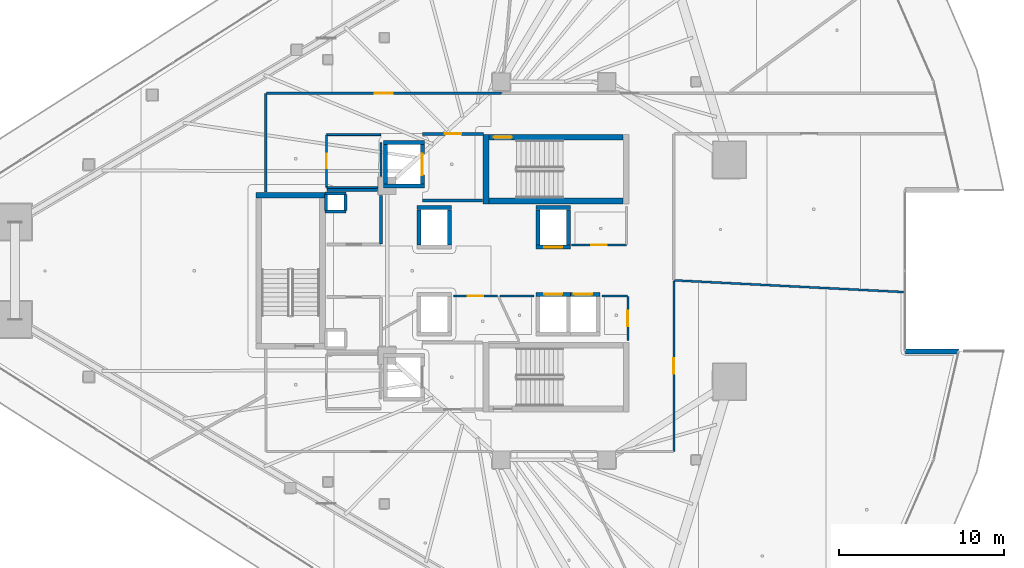
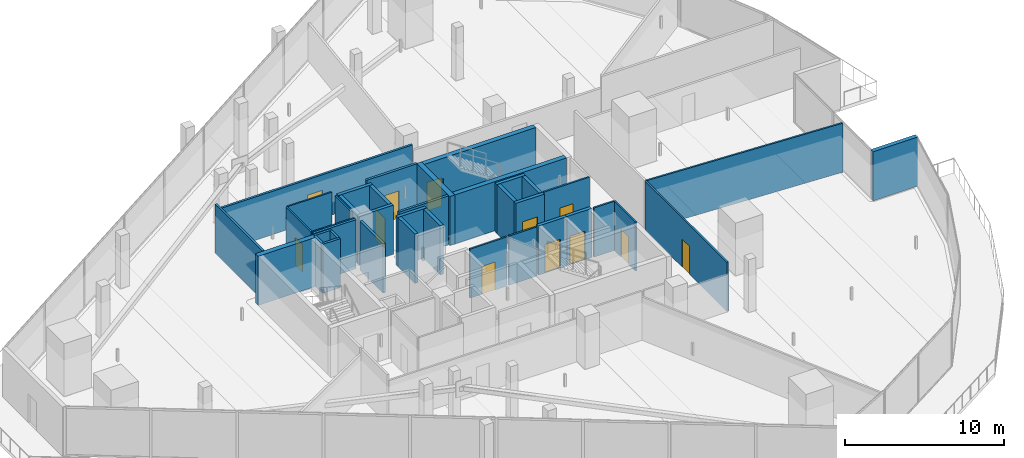
# One storey, part 30 of 40: 39 walls, 12 doors, 12 openings.
"""IFC4 building model written with IfcOpenShell, lengths in metres."""

from ifc_helpers import new_model, si_unit, direction, frame, frame_2d, origin, place, context, subcontext, project, spatial, rectangle, extrude, material, layer, layer_set, type_object, element, fill, save


model = new_model("IFC4")

# Units and contexts
model_context = context("Model", 3, precision=1e-05, world=origin(), true_north=direction((0.0, 1.0)))
body_context = subcontext(model_context, "Body", "Model", "MODEL_VIEW")
ifc_project = project(units=[si_unit("LENGTHUNIT", "METRE"), si_unit("AREAUNIT", "SQUARE_METRE"), si_unit("VOLUMEUNIT", "CUBIC_METRE"), si_unit("PLANEANGLEUNIT", "RADIAN"), si_unit("MASSUNIT", "GRAM", prefix="KILO")], contexts=[model_context])

# Site, building, storey
site_placement = place(None, origin())
site = spatial("IfcSite", under=ifc_project, at=site_placement, CompositionType="ELEMENT")
building_placement = place(site_placement, origin())
building = spatial("IfcBuilding", under=site, at=building_placement, Name="Qorvath Tower", CompositionType="ELEMENT")
storey_placement = place(building_placement, frame((0.0, 0.0, 138.14990234375)))
storey = spatial("IfcBuildingStorey", under=building, at=storey_placement, Name="L31", CompositionType="ELEMENT", Elevation=138.14990234375)

# Walls
ifc_material_1 = material(Name="Gypsum shaftliner on steel studs", Category="steel")
ifc_layer_1 = layer(ifc_material_1, 0.179931640625)
ifc_layer_set_1 = layer_set([ifc_layer_1], Name="FW-LOBBY")
wall_type_1 = type_object("IfcWallType", Name="FW-LOBBY", PredefinedType="PARTITIONING", material=ifc_layer_set_1)
for number, where, z_axis, x_axis, name in (
    (1, (-32.989990234375, 3.594970703125, 0.0), (0.0, 0.0, 1.0), (-1.0, 0.0, 0.0), "MEP Riser Shaft Enclosure Wall N-L31-S"),
    (2, (-34.260009765625, 4.675048828125, 0.0), (0.0, 0.0, 1.0), (1.0, 0.0, 0.0), "MEP Riser Shaft Enclosure Wall N-L31-N"),
):
    element("IfcWall", number, at=place(storey_placement, frame(where, z_axis=z_axis, x_axis=x_axis)), inside=storey, type_object=wall_type_1, Name=name, PredefinedType="PARTITIONING", context=body_context, shape_type="SweptSolid", body=[
        extrude(rectangle(XDim=1.27001953125, YDim=0.179931640625, at=frame_2d((0.635009765625, 0.0))), origin(), (0.0, 0.0, 1.0), 3.780029296875),
    ])
for number, where, z_axis, x_axis, name in (
    (3, (-34.205078125, 3.659912109375, 0.0), (0.0, 0.0, 1.0), (0.0, 1.0, 0.0), "MEP Riser Shaft Enclosure Wall N-L31-W"),
    (4, (-33.044921875, 4.610107421875, 0.0), (0.0, 0.0, 1.0), (0.0, -1.0, 0.0), "MEP Riser Shaft Enclosure Wall N-L31-E"),
):
    element("IfcWall", number, at=place(storey_placement, frame(where, z_axis=z_axis, x_axis=x_axis)), inside=storey, type_object=wall_type_1, Name=name, PredefinedType="PARTITIONING", context=body_context, shape_type="SweptSolid", body=[
        extrude(rectangle(XDim=0.9501953125, YDim=0.179931640625, at=frame_2d((0.47509765625, 0.0))), origin(), (0.0, 0.0, 1.0), 3.780029296875),
    ])
wall_1_placement = place(storey_placement, frame((-28.35498046875, 4.25, 0.0), z_axis=(0.0, 0.0, 1.0), x_axis=(1.0, 0.0, 0.0)))
element("IfcWall", 5, at=wall_1_placement, inside=storey, type_object=wall_type_1, Name="Interior Partition IW-T1-L31-001", PredefinedType="PARTITIONING", context=body_context, shape_type="SweptSolid", body=[
    extrude(rectangle(XDim=3.6220703125, YDim=0.179931640625, at=frame_2d((1.81103515625, 0.0))), origin(), (0.0, 0.0, 1.0), 3.780029296875),
])

# Wall, opening, door
wall_2_placement = place(storey_placement, frame((-24.68408203125, 8.300048828125, 0.0), z_axis=(0.0, 0.0, 1.0), x_axis=(-1.0, 0.0, 0.0)))
wall_2 = element("IfcWall", 6, at=wall_2_placement, inside=storey, type_object=wall_type_1, Name="Interior Partition IW-T1-L31-002", PredefinedType="PARTITIONING", context=body_context, shape_type="SweptSolid", body=[
    extrude(rectangle(XDim=3.6708984375, YDim=0.179931640625, at=frame_2d((1.83544921875, 0.0))), origin(), (0.0, 0.0, 1.0), 3.780029296875),
])
opening_1_placement = place(wall_2_placement, frame((1.33544921875, 0.0, 0.0)))
opening_1 = element("IfcOpeningElement", 7, at=opening_1_placement, cuts=wall_2, Name="Opening D-T1-L31-13", PredefinedType="OPENING", context=body_context, shape_type="SweptSolid", body=[
    extrude(rectangle(XDim=1.0, YDim=2.14990234375, at=frame_2d((0.5, 1.074951171875))), frame((0.0, 0.10009765625, 0.0), z_axis=(0.0, -1.0, 0.0), x_axis=(1.0, 0.0, 0.0)), (0.0, 0.0, 1.0), 0.199951171875),
])
ifc_material_2 = material(Name="Painted galvanised hollow metal", Category="steel")
door_type_1 = type_object("IfcDoorType", Name="FD-60", OperationType="NOTDEFINED", PredefinedType="DOOR", material=ifc_material_2)
door_1_placement = place(opening_1_placement, origin())
door_1 = element("IfcDoor", 8, at=door_1_placement, inside=storey, type_object=door_type_1, Name="Lobby Fire Service Elevator North Door D-T1-L31-13", OperationType="SINGLE_SWING_RIGHT", OverallHeight=2.14990234375, OverallWidth=1.0, PredefinedType="DOOR", context=body_context, shape_type="SweptSolid", body=[
    extrude(rectangle(XDim=1.0, YDim=2.14990234375, at=frame_2d((0.5, 1.074951171875))), frame((0.0, 0.02490234375, 0.0), z_axis=(0.0, -1.0, 0.0), x_axis=(1.0, 0.0, 0.0)), (0.0, 0.0, 1.0), 0.050048828125),
])
fill(opening_1, door_1)

# Walls
wall_3_placement = place(storey_placement, frame((-30.8798828125, 1.625, 0.0), z_axis=(0.0, 0.0, 1.0), x_axis=(0.0, 1.0, 0.0)))
element("IfcWall", 9, at=wall_3_placement, inside=storey, type_object=wall_type_1, Name="Interior Partition IW-T1-L31-016", PredefinedType="PARTITIONING", context=body_context, shape_type="SweptSolid", body=[
    extrude(rectangle(XDim=2.93505859375, YDim=0.179931640625, at=frame_2d((1.467529296875, 0.0))), origin(), (0.0, 0.0, 1.0), 3.780029296875),
])
wall_4_placement = place(storey_placement, frame((-31.090087890625, 4.89990234375, 0.0), z_axis=(0.0, 0.0, 1.0), x_axis=(-1.0, 0.0, 0.0)))
element("IfcWall", 10, at=wall_4_placement, inside=storey, type_object=wall_type_1, Name="Interior Partition IW-T1-L31-017", PredefinedType="PARTITIONING", context=body_context, shape_type="SweptSolid", body=[
    extrude(rectangle(XDim=3.064697265625, YDim=0.179931640625, at=frame_2d((1.5322265625, 0.0))), origin(), (0.0, 0.0, 1.0), 3.780029296875),
])
ifc_material_3 = material(Name="Double acoustic gypsum board on steel studs", Category="steel")
ifc_layer_2 = layer(ifc_material_3, 0.159912109375)
ifc_layer_set_2 = layer_set([ifc_layer_2], Name="IW-ACOUSTIC-160")
wall_type_2 = type_object("IfcWallType", Name="IW-ACOUSTIC-160", PredefinedType="PARTITIONING", material=ifc_layer_set_2)
wall_5_placement = place(storey_placement, frame((-37.85791015625, 4.783203125, 0.0), z_axis=(0.0, 0.0, 1.0), x_axis=(0.0, 1.0, 0.0)))
element("IfcWall", 11, at=wall_5_placement, inside=storey, type_object=wall_type_2, Name="Interior Partition IW-T1-L31-022", PredefinedType="PARTITIONING", context=body_context, shape_type="SweptSolid", body=[
    extrude(rectangle(XDim=5.949951171875, YDim=0.159912109375, at=frame_2d((2.97509765625, 0.0))), origin(), (0.0, 0.0, 1.0), 3.780029296875),
])

# Wall, opening, door
wall_6_placement = place(storey_placement, frame((-23.583740234375, 10.758056640625, 0.0), z_axis=(0.0, 0.0, 1.0), x_axis=(-1.0, 0.0, 0.0)))
wall_6 = element("IfcWall", 12, at=wall_6_placement, inside=storey, type_object=wall_type_2, Name="Interior Partition IW-T1-L31-023", PredefinedType="PARTITIONING", context=body_context, shape_type="SweptSolid", body=[
    extrude(rectangle(XDim=14.249267578125, YDim=0.159912109375, at=frame_2d((7.12451171875, 0.0))), origin(), (0.0, 0.0, 1.0), 3.34375),
])
opening_2_placement = place(wall_6_placement, frame((6.57470703125, 0.0, 0.0)))
opening_2 = element("IfcOpeningElement", 13, at=opening_2_placement, cuts=wall_6, Name="Opening D-T1-L31-06", PredefinedType="OPENING", context=body_context, shape_type="SweptSolid", body=[
    extrude(rectangle(XDim=1.10009765625, YDim=2.14990234375, at=frame_2d((0.550048828125, 1.074951171875))), frame((0.0, 0.08984375, 0.0), z_axis=(0.0, -1.0, 0.0), x_axis=(1.0, 0.0, 0.0)), (0.0, 0.0, 1.0), 0.179931640625),
])
ifc_material_4 = material(Name="Anodised aluminium acoustic framed glass", Category="aluminium")
door_type_2 = type_object("IfcDoorType", Name="D-03", OperationType="NOTDEFINED", PredefinedType="DOOR", material=ifc_material_4)
door_2_placement = place(opening_2_placement, origin())
door_2 = element("IfcDoor", 14, at=door_2_placement, inside=storey, type_object=door_type_2, Name="L31-01 Client Services Office Door D-T1-L31-06", OperationType="SINGLE_SWING_LEFT", OverallHeight=2.14990234375, OverallWidth=1.10009765625, PredefinedType="DOOR", context=body_context, shape_type="SweptSolid", body=[
    extrude(rectangle(XDim=1.10009765625, YDim=2.14990234375, at=frame_2d((0.550048828125, 1.074951171875))), frame((0.0, 0.02490234375, 0.0), z_axis=(0.0, -1.0, 0.0), x_axis=(1.0, 0.0, 0.0)), (0.0, 0.0, 1.0), 0.050048828125),
])
fill(opening_2, door_2)

ifc_material_5 = material(Name="Gypsum board on metal studs with mineral wool", Category="gypsum")
ifc_layer_3 = layer(ifc_material_5, 0.125)
ifc_layer_set_3 = layer_set([ifc_layer_3], Name="IW-PART-125")
wall_type_3 = type_object("IfcWallType", Name="IW-PART-125", PredefinedType="PARTITIONING", material=ifc_layer_set_3)
wall_7_placement = place(storey_placement, frame((-19.333740234375, 1.56005859375, 0.0), z_axis=(0.0, 0.0, 1.0), x_axis=(1.0, 0.0, 0.0)))
wall_7 = element("IfcWall", 15, at=wall_7_placement, inside=storey, type_object=wall_type_3, Name="Interior Partition IW-T1-L31-013", PredefinedType="PARTITIONING", context=body_context, shape_type="SweptSolid", body=[
    extrude(rectangle(XDim=3.308837890625, YDim=0.125, at=frame_2d((1.654296875, 0.0))), origin(), (0.0, 0.0, 1.0), 3.780029296875),
])
opening_3_placement = place(wall_7_placement, frame((1.179443359375, 0.0, 0.0)))
opening_3 = element("IfcOpeningElement", 16, at=opening_3_placement, cuts=wall_7, Name="Opening D-T1-L31-03", PredefinedType="OPENING", context=body_context, shape_type="SweptSolid", body=[
    extrude(rectangle(XDim=0.949951171875, YDim=2.14990234375, at=frame_2d((0.47509765625, 1.074951171875))), frame((0.0, 0.072509765625, 0.0), z_axis=(0.0, -1.0, 0.0), x_axis=(1.0, 0.0, 0.0)), (0.0, 0.0, 1.0), 0.14501953125),
])
ifc_material_6 = material(Name="Solid-core American white oak veneer", Category="wood")
door_type_3 = type_object("IfcDoorType", Name="D-01", OperationType="NOTDEFINED", PredefinedType="DOOR", material=ifc_material_6)
door_3_placement = place(opening_3_placement, origin())
door_3 = element("IfcDoor", 17, at=door_3_placement, inside=storey, type_object=door_type_3, Name="L31-RCN North Staff Refreshment Pantry Door D-T1-L31-03", OperationType="SINGLE_SWING_RIGHT", OverallHeight=2.14990234375, OverallWidth=0.949951171875, PredefinedType="DOOR", context=body_context, shape_type="SweptSolid", body=[
    extrude(rectangle(XDim=0.949951171875, YDim=2.14990234375, at=frame_2d((0.47509765625, 1.074951171875))), frame((0.0, 0.02490234375, 0.0), z_axis=(0.0, -1.0, 0.0), x_axis=(1.0, 0.0, 0.0)), (0.0, 0.0, 1.0), 0.050048828125),
])
fill(opening_3, door_3)

wall_8_placement = place(storey_placement, frame((-23.8125, -1.528076171875, 0.0), z_axis=(0.0, 0.0, 1.0), x_axis=(-1.0, 0.0, 0.0)))
wall_8 = element("IfcWall", 18, at=wall_8_placement, inside=storey, type_object=wall_type_3, Name="Interior Partition IW-T1-L31-030", PredefinedType="PARTITIONING", context=body_context, shape_type="SweptSolid", body=[
    extrude(rectangle(XDim=2.6728515625, YDim=0.125, at=frame_2d((1.33642578125, 0.0))), origin(), (0.0, 0.0, 1.0), 3.780029296875),
])
opening_4_placement = place(wall_8_placement, frame((0.861328125, 0.0, 0.0)))
opening_4 = element("IfcOpeningElement", 19, at=opening_4_placement, cuts=wall_8, Name="Opening D-T1-L31-08", PredefinedType="OPENING", context=body_context, shape_type="SweptSolid", body=[
    extrude(rectangle(XDim=0.949951171875, YDim=2.14990234375, at=frame_2d((0.47509765625, 1.074951171875))), frame((0.0, 0.072509765625, 0.0), z_axis=(0.0, -1.0, 0.0), x_axis=(1.0, 0.0, 0.0)), (0.0, 0.0, 1.0), 0.14501953125),
])
door_4_placement = place(opening_4_placement, origin())
door_4 = element("IfcDoor", 20, at=door_4_placement, inside=storey, type_object=door_type_3, Name="L31-03 Staff Wellness Studio Door D-T1-L31-08", OperationType="SINGLE_SWING_LEFT", OverallHeight=2.14990234375, OverallWidth=0.949951171875, PredefinedType="DOOR", context=body_context, shape_type="SweptSolid", body=[
    extrude(rectangle(XDim=0.949951171875, YDim=2.14990234375, at=frame_2d((0.47509765625, 1.074951171875))), frame((0.0, 0.02490234375, 0.0), z_axis=(0.0, -1.0, 0.0), x_axis=(1.0, 0.0, 0.0)), (0.0, 0.0, 1.0), 0.050048828125),
])
fill(opening_4, door_4)

# Wall
wall_9_placement = place(storey_placement, frame((0.783447265625, -1.2880859375, 0.0), z_axis=(0.0, 0.0, 1.0), x_axis=(-0.998704516963, 0.050885044939, 0.0)))
element("IfcWall", 21, at=wall_9_placement, inside=storey, type_object=wall_type_3, Name="Interior Partition IW-T1-L31-035", PredefinedType="PARTITIONING", context=body_context, shape_type="SweptSolid", body=[
    extrude(rectangle(XDim=13.918701171875, YDim=0.125, at=frame_2d((6.95947265625, 0.0))), origin(), (0.0, 0.0, 1.0), 3.780029296875),
])

# Wall, opening, door
wall_10_placement = place(storey_placement, frame((-13.14208984375, -0.603515625, 0.0), z_axis=(0.0, 0.0, 1.0), x_axis=(0.0, -1.0, 0.0)))
wall_10 = element("IfcWall", 22, at=wall_10_placement, inside=storey, type_object=wall_type_3, Name="Interior Partition IW-T1-L31-036", PredefinedType="PARTITIONING", context=body_context, shape_type="SweptSolid", body=[
    extrude(rectangle(XDim=10.32958984375, YDim=0.125, at=frame_2d((5.164794921875, 0.0))), origin(), (0.0, 0.0, 1.0), 3.780029296875),
])
opening_5_placement = place(wall_10_placement, frame((4.689697265625, 0.0, 0.0)))
opening_5 = element("IfcOpeningElement", 23, at=opening_5_placement, cuts=wall_10, Name="Opening D-T1-L31-09", PredefinedType="OPENING", context=body_context, shape_type="SweptSolid", body=[
    extrude(rectangle(XDim=0.949951171875, YDim=2.14990234375, at=frame_2d((0.47509765625, 1.074951171875))), frame((0.0, 0.072509765625, 0.0), z_axis=(0.0, -1.0, 0.0), x_axis=(1.0, 0.0, 0.0)), (0.0, 0.0, 1.0), 0.14501953125),
])
door_5_placement = place(opening_5_placement, origin())
door_5 = element("IfcDoor", 24, at=door_5_placement, inside=storey, type_object=door_type_3, Name="L31-04 Design Pin-Up Atelier Door D-T1-L31-09", OperationType="SINGLE_SWING_RIGHT", OverallHeight=2.14990234375, OverallWidth=0.949951171875, PredefinedType="DOOR", context=body_context, shape_type="SweptSolid", body=[
    extrude(rectangle(XDim=0.949951171875, YDim=2.14990234375, at=frame_2d((0.47509765625, 1.074951171875))), frame((0.0, 0.02490234375, 0.0), z_axis=(0.0, -1.0, 0.0), x_axis=(1.0, 0.0, 0.0)), (0.0, 0.0, 1.0), 0.050048828125),
])
fill(opening_5, door_5)

wall_11_placement = place(storey_placement, frame((-15.927978515625, -4.214111328125, 0.0), z_axis=(0.0, 0.0, 1.0), x_axis=(0.0, 1.0, 0.0)))
wall_11 = element("IfcWall", 25, at=wall_11_placement, inside=storey, type_object=wall_type_3, Name="Interior Partition IW-T1-L31-038", PredefinedType="PARTITIONING", context=body_context, shape_type="SweptSolid", body=[
    extrude(rectangle(XDim=2.6611328125, YDim=0.125, at=frame_2d((1.33056640625, 0.0))), origin(), (0.0, 0.0, 1.0), 3.780029296875),
])
opening_6_placement = place(wall_11_placement, frame((0.85546875, 0.0, 0.0)))
opening_6 = element("IfcOpeningElement", 26, at=opening_6_placement, cuts=wall_11, Name="Opening D-T1-L31-10", PredefinedType="OPENING", context=body_context, shape_type="SweptSolid", body=[
    extrude(rectangle(XDim=0.949951171875, YDim=2.14990234375, at=frame_2d((0.47509765625, 1.074951171875))), frame((0.0, 0.072509765625, 0.0), z_axis=(0.0, -1.0, 0.0), x_axis=(1.0, 0.0, 0.0)), (0.0, 0.0, 1.0), 0.14501953125),
])
door_6_placement = place(opening_6_placement, origin())
door_6 = element("IfcDoor", 27, at=door_6_placement, inside=storey, type_object=door_type_3, Name="L31-05 Executive Partner Office Door D-T1-L31-10", OperationType="SINGLE_SWING_LEFT", OverallHeight=2.14990234375, OverallWidth=0.949951171875, PredefinedType="DOOR", context=body_context, shape_type="SweptSolid", body=[
    extrude(rectangle(XDim=0.949951171875, YDim=2.14990234375, at=frame_2d((0.47509765625, 1.074951171875))), frame((0.0, 0.02490234375, 0.0), z_axis=(0.0, -1.0, 0.0), x_axis=(1.0, 0.0, 0.0)), (0.0, 0.0, 1.0), 0.050048828125),
])
fill(opening_6, door_6)

# Walls
wall_12_placement = place(storey_placement, frame((-15.952880859375, -1.528076171875, 0.0), z_axis=(0.0, 0.0, 1.0), x_axis=(-1.0, 0.0, 0.0)))
element("IfcWall", 28, at=wall_12_placement, inside=storey, type_object=wall_type_3, Name="Interior Partition IW-T1-L31-039", PredefinedType="PARTITIONING", context=body_context, shape_type="SweptSolid", body=[
    extrude(rectangle(XDim=1.532470703125, YDim=0.125, at=frame_2d((0.76611328125, 0.0))), origin(), (0.0, 0.0, 1.0), 3.780029296875),
])
wall_13_placement = place(storey_placement, frame((-21.61474609375, -1.528076171875, 0.0), z_axis=(0.0, 0.0, 1.0), x_axis=(-1.0, 0.0, 0.0)))
element("IfcWall", 29, at=wall_13_placement, inside=storey, type_object=wall_type_3, Name="Interior Partition IW-T1-L31-040", PredefinedType="PARTITIONING", context=body_context, shape_type="SweptSolid", body=[
    extrude(rectangle(XDim=2.053955078125, YDim=0.125, at=frame_2d((1.02685546875, 0.0))), origin(), (0.0, 0.0, 1.0), 3.780029296875),
])

# Wall, opening, door
ifc_material_7 = material(Name="Moisture-resistant cement board on metal studs", Category="gypsum")
ifc_layer_4 = layer(ifc_material_7, 0.110107421875)
ifc_layer_set_4 = layer_set([ifc_layer_4], Name="IW-WC-110")
wall_type_4 = type_object("IfcWallType", Name="IW-WC-110", PredefinedType="PARTITIONING", material=ifc_layer_set_4)
wall_14_placement = place(storey_placement, frame((-34.179931640625, 8.22509765625, 0.0), z_axis=(0.0, 0.0, 1.0), x_axis=(0.0, -1.0, 0.0)))
wall_14 = element("IfcWall", 30, at=wall_14_placement, inside=storey, type_object=wall_type_4, Name="Interior Partition IW-T1-L31-005", PredefinedType="PARTITIONING", context=body_context, shape_type="SweptSolid", body=[
    extrude(rectangle(XDim=3.150146484375, YDim=0.110107421875, at=frame_2d((1.5751953125, 0.0))), origin(), (0.0, 0.0, 1.0), 3.780029296875),
])
opening_7_placement = place(wall_14_placement, frame((1.135009765625, 0.0, 0.0)))
opening_7 = element("IfcOpeningElement", 31, at=opening_7_placement, cuts=wall_14, Name="Opening D-T1-L31-01", PredefinedType="OPENING", context=body_context, shape_type="SweptSolid", body=[
    extrude(rectangle(XDim=0.8798828125, YDim=2.10009765625, at=frame_2d((0.43994140625, 1.050048828125))), frame((0.0, 0.06494140625, 0.0), z_axis=(0.0, -1.0, 0.0), x_axis=(1.0, 0.0, 0.0)), (0.0, 0.0, 1.0), 0.130126953125),
])
ifc_material_8 = material(Name="Solid-core oak with acoustic drop seal", Category="wood")
door_type_4 = type_object("IfcDoorType", Name="D-02", OperationType="NOTDEFINED", PredefinedType="DOOR", material=ifc_material_8)
door_7_placement = place(opening_7_placement, origin())
door_7 = element("IfcDoor", 32, at=door_7_placement, inside=storey, type_object=door_type_4, Name="WC All-Gender North L31 Door D-T1-L31-01", OperationType="SINGLE_SWING_RIGHT", OverallHeight=2.10009765625, OverallWidth=0.8798828125, PredefinedType="DOOR", context=body_context, shape_type="SweptSolid", body=[
    extrude(rectangle(XDim=0.8798828125, YDim=2.10009765625, at=frame_2d((0.43994140625, 1.050048828125))), frame((0.0, 0.02490234375, 0.0), z_axis=(0.0, -1.0, 0.0), x_axis=(1.0, 0.0, 0.0)), (0.0, 0.0, 1.0), 0.050048828125),
])
fill(opening_7, door_7)

# Walls
wall_15_placement = place(storey_placement, frame((-34.15478515625, 5.050048828125, 0.0), z_axis=(0.0, 0.0, 1.0), x_axis=(1.0, 0.0, 0.0)))
element("IfcWall", 33, at=wall_15_placement, inside=storey, type_object=wall_type_4, Name="Interior Partition IW-T1-L31-006", PredefinedType="PARTITIONING", context=body_context, shape_type="SweptSolid", body=[
    extrude(rectangle(XDim=3.064697265625, YDim=0.110107421875, at=frame_2d((1.5322265625, 0.0))), origin(), (0.0, 0.0, 1.0), 3.780029296875),
])
wall_16_placement = place(storey_placement, frame((-30.8798828125, 5.739990234375, 0.0), z_axis=(0.0, 0.0, 1.0), x_axis=(0.0, 1.0, 0.0)))
element("IfcWall", 34, at=wall_16_placement, inside=storey, type_object=wall_type_4, Name="Interior Partition IW-T1-L31-007", PredefinedType="PARTITIONING", context=body_context, shape_type="SweptSolid", body=[
    extrude(rectangle(XDim=2.0029296875, YDim=0.110107421875, at=frame_2d((1.00146484375, 0.0))), origin(), (0.0, 0.0, 1.0), 3.780029296875),
])
wall_17_placement = place(storey_placement, frame((-30.90478515625, 8.25, 0.0), z_axis=(0.0, 0.0, 1.0), x_axis=(-1.0, 0.0, 0.0)))
element("IfcWall", 35, at=wall_17_placement, inside=storey, type_object=wall_type_4, Name="Interior Partition IW-T1-L31-008", PredefinedType="PARTITIONING", context=body_context, shape_type="SweptSolid", body=[
    extrude(rectangle(XDim=3.25, YDim=0.110107421875, at=frame_2d((1.625, 0.0))), origin(), (0.0, 0.0, 1.0), 3.780029296875),
])
ifc_material_9 = material(Name="Concrete C60/75", Category="concrete")
ifc_layer_5 = layer(ifc_material_9, 0.260009765625)
ifc_layer_set_5 = layer_set([ifc_layer_5], Name="SW-SHAFT")
wall_type_5 = type_object("IfcWallType", Name="SW-SHAFT", PredefinedType="SHEAR", material=ifc_layer_set_5)
for number, where, z_axis, x_axis, name in (
    (36, (-28.260009765625, 5.1298828125, 0.0), (0.0, 0.0, 1.0), (-1.0, 0.0, 0.0), "Hoistway Wall FSAE-1 L31 S"),
    (37, (-30.739990234375, 7.77001953125, 0.0), (0.0, 0.0, 1.0), (1.0, 0.0, 0.0), "Hoistway Wall FSAE-1 L31 N"),
):
    element("IfcWall", number, at=place(storey_placement, frame(where, z_axis=z_axis, x_axis=x_axis)), inside=storey, type_object=wall_type_5, Name=name, PredefinedType="SHEAR", context=body_context, shape_type="SweptSolid", body=[
        extrude(rectangle(XDim=2.47998046875, YDim=0.239990234375, at=frame_2d((1.239990234375, 0.0))), origin(), (0.0, 0.0, 1.0), 3.780029296875),
    ])
wall_18_placement = place(storey_placement, frame((-30.6201171875, 5.261962890625, 0.0), z_axis=(0.0, 0.0, 1.0), x_axis=(0.0, 1.0, 0.0)))
element("IfcWall", 38, at=wall_18_placement, inside=storey, type_object=wall_type_5, Name="Hoistway Wall FSAE-1 L31 W", PredefinedType="SHEAR", context=body_context, shape_type="SweptSolid", body=[
    extrude(rectangle(XDim=2.3759765625, YDim=0.239990234375, at=frame_2d((1.18798828125, 0.0))), origin(), (0.0, 0.0, 1.0), 3.780029296875),
])

# Wall, opening, door
wall_19_placement = place(storey_placement, frame((-28.3798828125, 7.637939453125, 0.0), z_axis=(0.0, 0.0, 1.0), x_axis=(0.0, -1.0, 0.0)))
wall_19 = element("IfcWall", 39, at=wall_19_placement, inside=storey, type_object=wall_type_5, Name="Hoistway Wall FSAE-1 L31 E", PredefinedType="SHEAR", context=body_context, shape_type="SweptSolid", body=[
    extrude(rectangle(XDim=2.3759765625, YDim=0.239990234375, at=frame_2d((1.18798828125, 0.0))), origin(), (0.0, 0.0, 1.0), 3.780029296875),
])
opening_8_placement = place(wall_19_placement, frame((0.537841796875, 0.0, 0.0)))
opening_8 = element("IfcOpeningElement", 40, at=opening_8_placement, cuts=wall_19, Name="Opening LD-FSAE-1-L31", PredefinedType="OPENING", context=body_context, shape_type="SweptSolid", body=[
    extrude(rectangle(XDim=1.300048828125, YDim=2.300048828125, at=frame_2d((0.64990234375, 1.14990234375))), frame((0.0, 0.1298828125, 0.0), z_axis=(0.0, -1.0, 0.0), x_axis=(1.0, 0.0, 0.0)), (0.0, 0.0, 1.0), 0.260009765625),
])
ifc_material_10 = material(Name="Brushed stainless steel AISI 316", Category="steel")
door_type_5 = type_object("IfcDoorType", Name="LD-02", OperationType="NOTDEFINED", PredefinedType="DOOR", material=ifc_material_10)
door_8_placement = place(opening_8_placement, origin())
door_8 = element("IfcDoor", 41, at=door_8_placement, inside=storey, type_object=door_type_5, Name="Elevator Landing Sliding Door LD-FSAE-1-L31", OperationType="DOUBLE_DOOR_SLIDING", OverallHeight=2.300048828125, OverallWidth=1.300048828125, PredefinedType="DOOR", context=body_context, shape_type="SweptSolid", body=[
    extrude(rectangle(XDim=1.300048828125, YDim=2.300048828125, at=frame_2d((0.64990234375, 1.14990234375))), frame((0.0, 0.02490234375, 0.0), z_axis=(0.0, -1.0, 0.0), x_axis=(1.0, 0.0, 0.0)), (0.0, 0.0, 1.0), 0.050048828125),
])
fill(opening_8, door_8)

# Walls
wall_20_placement = place(storey_placement, frame((-28.68994140625, 3.820068359375, 0.0), z_axis=(0.0, 0.0, 1.0), x_axis=(1.0, 0.0, 0.0)))
element("IfcWall", 42, at=wall_20_placement, inside=storey, type_object=wall_type_5, Name="Hoistway Wall PS-1 L31 N", PredefinedType="SHEAR", context=body_context, shape_type="SweptSolid", body=[
    extrude(rectangle(XDim=2.079833984375, YDim=0.239990234375, at=frame_2d((1.0400390625, 0.0))), origin(), (0.0, 0.0, 1.0), 3.780029296875),
])
for number, where, z_axis, x_axis, name in (
    (43, (-28.570068359375, 1.56201171875, 0.0), (0.0, 0.0, 1.0), (0.0, 1.0, 0.0), "Hoistway Wall PS-1 L31 W"),
    (44, (-26.72998046875, 3.68798828125, 0.0), (0.0, 0.0, 1.0), (0.0, -1.0, 0.0), "Hoistway Wall PS-1 L31 E"),
):
    element("IfcWall", number, at=place(storey_placement, frame(where, z_axis=z_axis, x_axis=x_axis)), inside=storey, type_object=wall_type_5, Name=name, PredefinedType="SHEAR", context=body_context, shape_type="SweptSolid", body=[
        extrude(rectangle(XDim=2.1259765625, YDim=0.239990234375, at=frame_2d((1.06298828125, 0.0))), origin(), (0.0, 0.0, 1.0), 3.780029296875),
    ])

# Wall, opening, door
wall_21_placement = place(storey_placement, frame((-19.409912109375, 1.429931640625, 0.0), z_axis=(0.0, 0.0, 1.0), x_axis=(-1.0, 0.0, 0.0)))
wall_21 = element("IfcWall", 45, at=wall_21_placement, inside=storey, type_object=wall_type_5, Name="Hoistway Wall PM-1 L31 S", PredefinedType="SHEAR", context=body_context, shape_type="SweptSolid", body=[
    extrude(rectangle(XDim=2.080078125, YDim=0.239990234375, at=frame_2d((1.0400390625, 0.0))), origin(), (0.0, 0.0, 1.0), 3.780029296875),
])
opening_9_placement = place(wall_21_placement, frame((0.489990234375, 0.0, 0.0)))
opening_9 = element("IfcOpeningElement", 46, at=opening_9_placement, cuts=wall_21, Name="Opening LD-PM-1-L31", PredefinedType="OPENING", context=body_context, shape_type="SweptSolid", body=[
    extrude(rectangle(XDim=1.10009765625, YDim=2.199951171875, at=frame_2d((0.550048828125, 1.10009765625))), frame((0.0, 0.1298828125, 0.0), z_axis=(0.0, -1.0, 0.0), x_axis=(1.0, 0.0, 0.0)), (0.0, 0.0, 1.0), 0.260009765625),
])
ifc_material_11 = material(Name="Brushed stainless steel AISI 316", Category="steel")
door_type_6 = type_object("IfcDoorType", Name="LD-01", OperationType="NOTDEFINED", PredefinedType="DOOR", material=ifc_material_11)
door_9_placement = place(opening_9_placement, origin())
door_9 = element("IfcDoor", 47, at=door_9_placement, inside=storey, type_object=door_type_6, Name="Elevator Landing Sliding Door LD-PM-1-L31", OperationType="DOUBLE_DOOR_SLIDING", OverallHeight=2.199951171875, OverallWidth=1.10009765625, PredefinedType="DOOR", context=body_context, shape_type="SweptSolid", body=[
    extrude(rectangle(XDim=1.10009765625, YDim=2.199951171875, at=frame_2d((0.550048828125, 1.10009765625))), frame((0.0, 0.02490234375, 0.0), z_axis=(0.0, -1.0, 0.0), x_axis=(1.0, 0.0, 0.0)), (0.0, 0.0, 1.0), 0.050048828125),
])
fill(opening_9, door_9)

# Walls
wall_22_placement = place(storey_placement, frame((-21.489990234375, 3.820068359375, 0.0), z_axis=(0.0, 0.0, 1.0), x_axis=(1.0, 0.0, 0.0)))
element("IfcWall", 48, at=wall_22_placement, inside=storey, type_object=wall_type_5, Name="Hoistway Wall PM-1 L31 N", PredefinedType="SHEAR", context=body_context, shape_type="SweptSolid", body=[
    extrude(rectangle(XDim=2.080078125, YDim=0.239990234375, at=frame_2d((1.0400390625, 0.0))), origin(), (0.0, 0.0, 1.0), 3.780029296875),
])
for number, where, z_axis, x_axis, name in (
    (49, (-21.3701171875, 1.56201171875, 0.0), (0.0, 0.0, 1.0), (0.0, 1.0, 0.0), "Hoistway Wall PM-1 L31 W"),
    (50, (-19.530029296875, 3.68798828125, 0.0), (0.0, 0.0, 1.0), (0.0, -1.0, 0.0), "Hoistway Wall PM-1 L31 E"),
):
    element("IfcWall", number, at=place(storey_placement, frame(where, z_axis=z_axis, x_axis=x_axis)), inside=storey, type_object=wall_type_5, Name=name, PredefinedType="SHEAR", context=body_context, shape_type="SweptSolid", body=[
        extrude(rectangle(XDim=2.1259765625, YDim=0.239990234375, at=frame_2d((1.06298828125, 0.0))), origin(), (0.0, 0.0, 1.0), 3.780029296875),
    ])

# Wall, opening, door
wall_23_placement = place(storey_placement, frame((-21.489990234375, -1.429931640625, 0.0), z_axis=(0.0, 0.0, 1.0), x_axis=(1.0, 0.0, 0.0)))
wall_23 = element("IfcWall", 51, at=wall_23_placement, inside=storey, type_object=wall_type_5, Name="Hoistway Wall PM-2 L31 N", PredefinedType="SHEAR", context=body_context, shape_type="SweptSolid", body=[
    extrude(rectangle(XDim=2.080078125, YDim=0.239990234375, at=frame_2d((1.0400390625, 0.0))), origin(), (0.0, 0.0, 1.0), 3.780029296875),
])
opening_10_placement = place(wall_23_placement, frame((0.489990234375, 0.0, 0.0)))
opening_10 = element("IfcOpeningElement", 52, at=opening_10_placement, cuts=wall_23, Name="Opening LD-PM-2-L31", PredefinedType="OPENING", context=body_context, shape_type="SweptSolid", body=[
    extrude(rectangle(XDim=1.10009765625, YDim=2.199951171875, at=frame_2d((0.550048828125, 1.10009765625))), frame((0.0, 0.1298828125, 0.0), z_axis=(0.0, -1.0, 0.0), x_axis=(1.0, 0.0, 0.0)), (0.0, 0.0, 1.0), 0.260009765625),
])
door_10_placement = place(opening_10_placement, origin())
door_10 = element("IfcDoor", 53, at=door_10_placement, inside=storey, type_object=door_type_6, Name="Elevator Landing Sliding Door LD-PM-2-L31", OperationType="DOUBLE_DOOR_SLIDING", OverallHeight=2.199951171875, OverallWidth=1.10009765625, PredefinedType="DOOR", context=body_context, shape_type="SweptSolid", body=[
    extrude(rectangle(XDim=1.10009765625, YDim=2.199951171875, at=frame_2d((0.550048828125, 1.10009765625))), frame((0.0, 0.02490234375, 0.0), z_axis=(0.0, -1.0, 0.0), x_axis=(1.0, 0.0, 0.0)), (0.0, 0.0, 1.0), 0.050048828125),
])
fill(opening_10, door_10)

wall_24_placement = place(storey_placement, frame((-19.409912109375, -1.429931640625, 0.0), z_axis=(0.0, 0.0, 1.0), x_axis=(1.0, 0.0, 0.0)))
wall_24 = element("IfcWall", 54, at=wall_24_placement, inside=storey, type_object=wall_type_5, Name="Hoistway Wall PM-3 L31 N", PredefinedType="SHEAR", context=body_context, shape_type="SweptSolid", body=[
    extrude(rectangle(XDim=1.7998046875, YDim=0.239990234375, at=frame_2d((0.89990234375, 0.0))), origin(), (0.0, 0.0, 1.0), 3.780029296875),
])
opening_11_placement = place(wall_24_placement, frame((0.2099609375, 0.0, 0.0)))
opening_11 = element("IfcOpeningElement", 55, at=opening_11_placement, cuts=wall_24, Name="Opening LD-PM-3-L31", PredefinedType="OPENING", context=body_context, shape_type="SweptSolid", body=[
    extrude(rectangle(XDim=1.10009765625, YDim=2.199951171875, at=frame_2d((0.550048828125, 1.10009765625))), frame((0.0, 0.1298828125, 0.0), z_axis=(0.0, -1.0, 0.0), x_axis=(1.0, 0.0, 0.0)), (0.0, 0.0, 1.0), 0.260009765625),
])
door_11_placement = place(opening_11_placement, origin())
door_11 = element("IfcDoor", 56, at=door_11_placement, inside=storey, type_object=door_type_6, Name="Elevator Landing Sliding Door LD-PM-3-L31", OperationType="DOUBLE_DOOR_SLIDING", OverallHeight=2.199951171875, OverallWidth=1.10009765625, PredefinedType="DOOR", context=body_context, shape_type="SweptSolid", body=[
    extrude(rectangle(XDim=1.10009765625, YDim=2.199951171875, at=frame_2d((0.550048828125, 1.10009765625))), frame((0.0, 0.02490234375, 0.0), z_axis=(0.0, -1.0, 0.0), x_axis=(1.0, 0.0, 0.0)), (0.0, 0.0, 1.0), 0.050048828125),
])
fill(opening_11, door_11)

# Walls
ifc_material_12 = material(Name="Concrete C60/75", Category="concrete")
ifc_layer_6 = layer(ifc_material_12, 0.35009765625)
ifc_layer_set_6 = layer_set([ifc_layer_6], Name="SW-STAIR")
wall_type_6 = type_object("IfcWallType", Name="SW-STAIR", PredefinedType="SHEAR", material=ifc_layer_set_6)
wall_25_placement = place(storey_placement, frame((-24.52490234375, 8.260009765625, 0.0), z_axis=(0.0, 0.0, 1.0), x_axis=(0.0, -1.0, 0.0)))
element("IfcWall", 57, at=wall_25_placement, inside=storey, type_object=wall_type_6, Name="Stair TS1 Shear Wall L31 NEAR", PredefinedType="SHEAR", context=body_context, shape_type="SweptSolid", body=[
    extrude(rectangle(XDim=4.2099609375, YDim=0.35009765625, at=frame_2d((2.10498046875, 0.0))), origin(), (0.0, 0.0, 1.0), 3.780029296875),
])
wall_26_placement = place(storey_placement, frame((-24.3349609375, 4.22509765625, 0.0), z_axis=(0.0, 0.0, 1.0), x_axis=(1.0, 0.0, 0.0)))
element("IfcWall", 58, at=wall_26_placement, inside=storey, type_object=wall_type_6, Name="Stair TS1 Shear Wall L31 LEFT", PredefinedType="SHEAR", context=body_context, shape_type="SweptSolid", body=[
    extrude(rectangle(XDim=8.119873046875, YDim=0.35009765625, at=frame_2d((4.06005859375, 0.0))), origin(), (0.0, 0.0, 1.0), 3.780029296875),
])

# Wall, opening, door
wall_27_placement = place(storey_placement, frame((-16.215087890625, 8.0849609375, 0.0), z_axis=(0.0, 0.0, 1.0), x_axis=(-1.0, 0.0, 0.0)))
wall_27 = element("IfcWall", 59, at=wall_27_placement, inside=storey, type_object=wall_type_6, Name="Stair TS1 Shear Wall L31 RIGHT", PredefinedType="SHEAR", context=body_context, shape_type="SweptSolid", body=[
    extrude(rectangle(XDim=8.119873046875, YDim=0.35009765625, at=frame_2d((4.06005859375, 0.0))), origin(), (0.0, 0.0, 1.0), 3.780029296875),
])
opening_12_placement = place(wall_27_placement, frame((6.739990234375, 0.0, 0.0)))
opening_12 = element("IfcOpeningElement", 60, at=opening_12_placement, cuts=wall_27, Name="Opening D-TS1-L31", PredefinedType="OPENING", context=body_context, shape_type="SweptSolid", body=[
    extrude(rectangle(XDim=1.10009765625, YDim=2.199951171875, at=frame_2d((0.550048828125, 1.10009765625))), frame((0.0, 0.18505859375, 0.0), z_axis=(0.0, -1.0, 0.0), x_axis=(1.0, 0.0, 0.0)), (0.0, 0.0, 1.0), 0.3701171875),
])
ifc_material_13 = material(Name="Painted galvanised hollow metal", Category="steel")
door_type_7 = type_object("IfcDoorType", Name="FD-90", OperationType="NOTDEFINED", PredefinedType="DOOR", material=ifc_material_13)
door_12_placement = place(opening_12_placement, origin())
door_12 = element("IfcDoor", 61, at=door_12_placement, inside=storey, type_object=door_type_7, Name="Stair TS1 Fire Door L31", OperationType="SINGLE_SWING_RIGHT", OverallHeight=2.199951171875, OverallWidth=1.10009765625, PredefinedType="DOOR", context=body_context, shape_type="SweptSolid", body=[
    extrude(rectangle(XDim=1.10009765625, YDim=2.199951171875, at=frame_2d((0.550048828125, 1.10009765625))), frame((0.0, 0.02490234375, 0.0), z_axis=(0.0, -1.0, 0.0), x_axis=(1.0, 0.0, 0.0)), (0.0, 0.0, 1.0), 0.050048828125),
])
fill(opening_12, door_12)

# Walls
wall_28_placement = place(storey_placement, frame((-34.25, 4.574951171875, 0.0), z_axis=(0.0, 0.0, 1.0), x_axis=(-1.0, 0.0, 0.0)))
element("IfcWall", 62, at=wall_28_placement, inside=storey, type_object=wall_type_6, Name="Stair TS3 Shear Wall L31 FAR", PredefinedType="SHEAR", context=body_context, shape_type="SweptSolid", body=[
    extrude(rectangle(XDim=4.2099609375, YDim=0.35009765625, at=frame_2d((2.10498046875, 0.0))), origin(), (0.0, 0.0, 1.0), 3.780029296875),
])
ifc_material_14 = material(Name="Precast concrete C45/55", Category="concrete")
ifc_layer_7 = layer(ifc_material_14, 0.300048828125)
ifc_layer_set_7 = layer_set([ifc_layer_7], Name="WL-EW-LOG-300")
wall_type_7 = type_object("IfcWallType", Name="WL-EW-LOG-300", PredefinedType="SOLIDWALL", material=ifc_layer_set_7)
wall_29_placement = place(storey_placement, frame((4.11767578125, -4.881591796875, 0.0), z_axis=(0.0, 0.0, 1.0), x_axis=(-1.0, 0.0, 0.0)))
element("IfcWall", 63, at=wall_29_placement, inside=storey, type_object=wall_type_7, Name="Tower Precast Loggia Wall L31-8.1", PredefinedType="SOLIDWALL", context=body_context, shape_type="SweptSolid", body=[
    extrude(rectangle(XDim=3.25439453125, YDim=0.300048828125, at=frame_2d((1.627197265625, 0.0))), origin(), (0.0, 0.0, 1.0), 3.780029296875),
])

save(model, "model.ifc")
